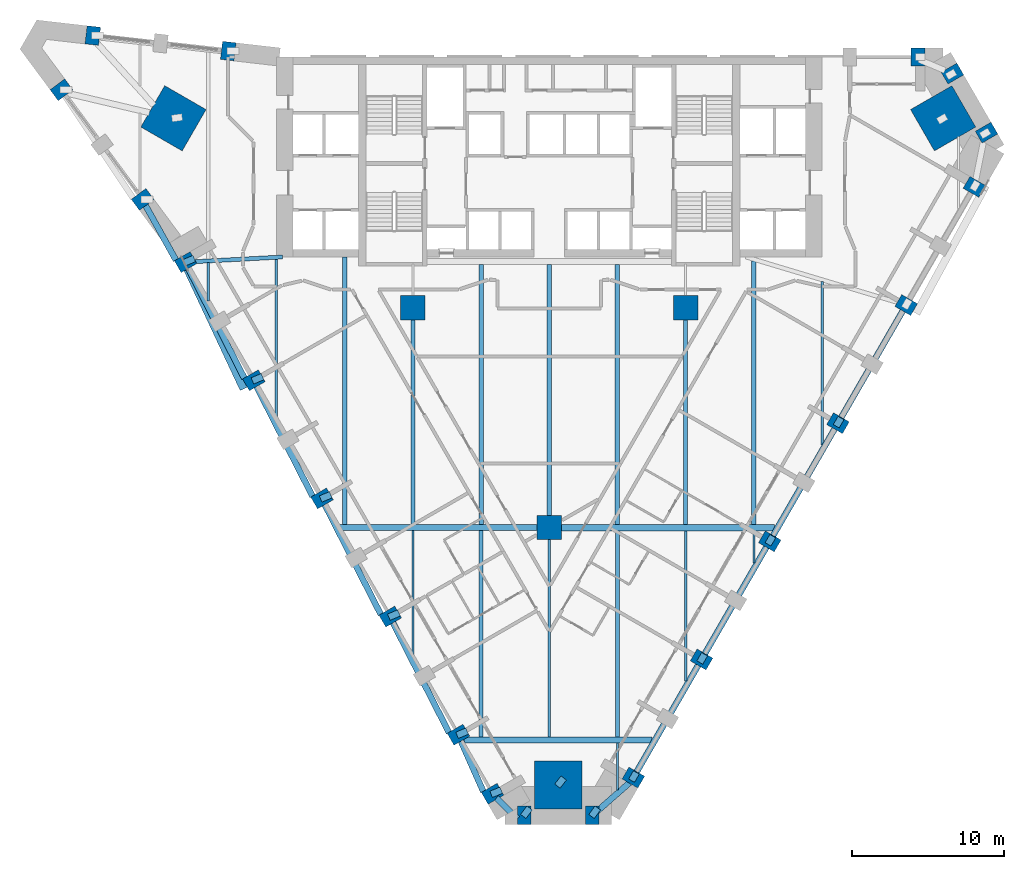
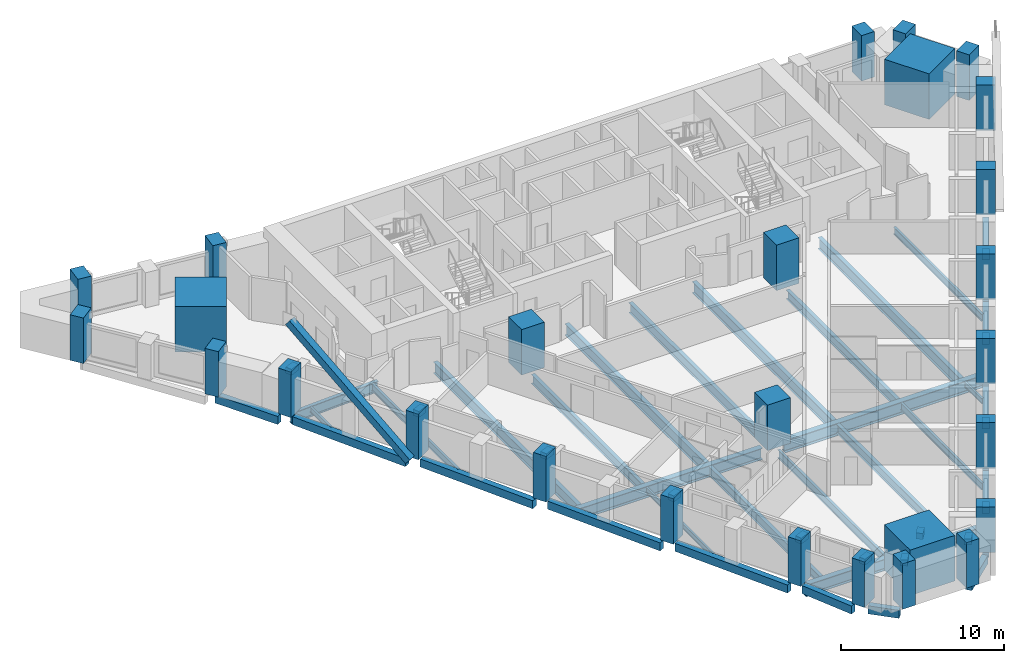
# One storey, part 1 of 11: 46 beams, 27 columns, 1 member.
"""IFC4 building model written with IfcOpenShell, lengths in metres."""

import ifcopenshell
import ifcopenshell.guid

model = None  # the IFC model being written
_history = None  # IfcOwnerHistory: only IFC2X3 demands one
_inside = {}  # id of a spatial element -> (the spatial element, [elements in it])
_under = {}  # id of a project, library or spatial element -> (it, [spatial elements below it])
_declared = {}  # id of a project -> (the project, [libraries it declares])
_typed = {}  # id of a type object -> (the type object, [elements of that type])
_made_of = {}  # id of a material, layer set ... -> (it, [elements and type objects made of it])


def new_model(schema):
    """Start an empty IFC model of exactly this schema.

    Asked for "IFC4X3", IfcOpenShell would pick the latest addendum, in which some entities
    have other attributes; the version numbers below select the first issue.
    IFC2X3 requires an IfcOwnerHistory on every rooted entity: one is made here for all.
    """
    global model, _history
    if schema == "IFC4X3":
        model = ifcopenshell.file(schema_version=(4, 3, 0, 0))
    else:
        model = ifcopenshell.file(schema=schema)
    _inside.clear()
    _under.clear()
    _declared.clear()
    _typed.clear()
    _made_of.clear()
    _history = None
    if model.schema == "IFC2X3":
        org = make("IfcOrganization", Name="unknown")
        user = make(
            "IfcPersonAndOrganization",
            ThePerson=make("IfcPerson", FamilyName="unknown"),
            TheOrganization=org,
        )
        app = make(
            "IfcApplication",
            ApplicationDeveloper=org,
            Version="unknown",
            ApplicationFullName="unknown",
            ApplicationIdentifier="unknown",
        )
        _history = make(
            "IfcOwnerHistory",
            OwningUser=user,
            OwningApplication=app,
            ChangeAction="ADDED",
            CreationDate=0,
        )
    return model


def make(cls, **values):
    """One entity of the class cls with the attributes given. An attribute that is None is left unset."""
    return model.create_entity(
        cls, **{name: value for name, value in values.items() if value is not None}
    )


def rooted(cls, **values):
    """An entity with a GlobalId (a new one), such as an element, a storey or a relation."""
    return make(cls, GlobalId=ifcopenshell.guid.new(), OwnerHistory=_history, **values)


def si_unit(unit_type, name, prefix=None):
    """IfcSIUnit, for example si_unit("LENGTHUNIT", "METRE", prefix="MILLI")."""
    return make("IfcSIUnit", UnitType=unit_type, Prefix=prefix, Name=name)


def assignment(units):
    """IfcUnitAssignment: the units of a project."""
    return None if units is None else make("IfcUnitAssignment", Units=units)


def point(xyz):
    """IfcCartesianPoint."""
    return None if xyz is None else make("IfcCartesianPoint", Coordinates=xyz)


def direction(xyz):
    """IfcDirection."""
    return None if xyz is None else make("IfcDirection", DirectionRatios=xyz)


def frame(location, z_axis=None, x_axis=None):
    """IfcAxis2Placement3D, a coordinate frame: its origin and axes. An axis left out is left unset."""
    return make(
        "IfcAxis2Placement3D",
        Location=point(location),
        Axis=direction(z_axis),
        RefDirection=direction(x_axis),
    )


def frame_2d(location, x_axis=None):
    """IfcAxis2Placement2D, a coordinate frame in the plane: its origin and x axis."""
    return make(
        "IfcAxis2Placement2D", Location=point(location), RefDirection=direction(x_axis)
    )


def origin():
    """The frame at (0, 0, 0) with its axes left unset."""
    return frame((0.0, 0.0, 0.0))


def origin_2d():
    """The frame at (0, 0) in the plane with its x axis left unset."""
    return frame_2d((0.0, 0.0))


def place(relative_to, where):
    """IfcLocalPlacement: puts the frame where relative to a parent placement (None: the world)."""
    return make(
        "IfcLocalPlacement", PlacementRelTo=relative_to, RelativePlacement=where
    )


def context(
    kind, dimensions, precision=None, world=None, true_north=None, identifier=None
):
    """IfcGeometricRepresentationContext, for example the 3D "Model" context."""
    return make(
        "IfcGeometricRepresentationContext",
        ContextIdentifier=identifier,
        ContextType=kind,
        CoordinateSpaceDimension=dimensions,
        Precision=precision,
        WorldCoordinateSystem=world,
        TrueNorth=true_north,
    )


def subcontext(parent, identifier, kind, view, scale=None):
    """IfcGeometricRepresentationSubContext, for example "Body" below "Model"."""
    return make(
        "IfcGeometricRepresentationSubContext",
        ContextIdentifier=identifier,
        ContextType=kind,
        ParentContext=parent,
        TargetScale=scale,
        TargetView=view,
    )


def project(units=None, contexts=None):
    """IfcProject with its units and contexts."""
    return rooted(
        "IfcProject",
        Name="project",
        RepresentationContexts=contexts,
        UnitsInContext=assignment(units),
    )


def spatial(cls, under=None, at=None, **own):
    """A site, building, storey or space (cls), placed at a placement, below another one or the project."""
    s = rooted(cls, ObjectPlacement=at, **own)
    if under is not None:
        _under.setdefault(under.id(), (under, []))[1].append(s)
    return s


def profile(cls, at=None, kind="AREA", **sizes):
    """A parametric profile (cls). Its sizes go by their IFC names, for example OverallWidth=200.0."""
    return make(cls, ProfileType=kind, Position=at, **sizes)


def rectangle(**sizes):
    """IfcRectangleProfileDef."""
    return profile("IfcRectangleProfileDef", **sizes)


def hollow_rectangle(**sizes):
    """IfcRectangleHollowProfileDef."""
    return profile("IfcRectangleHollowProfileDef", **sizes)


def i_section(**sizes):
    """IfcIShapeProfileDef."""
    return profile("IfcIShapeProfileDef", **sizes)


def extrude(swept, where, along, depth):
    """IfcExtrudedAreaSolid: the profile swept, set in the frame where, extruded along a direction by depth."""
    return make(
        "IfcExtrudedAreaSolid",
        SweptArea=swept,
        Position=where,
        ExtrudedDirection=direction(along),
        Depth=depth,
    )


def shape(context_of_items, identifier, shape_type, items):
    """IfcShapeRepresentation: the items that make up one representation, for example the "Body"."""
    return make(
        "IfcShapeRepresentation",
        ContextOfItems=context_of_items,
        RepresentationIdentifier=identifier,
        RepresentationType=shape_type,
        Items=items,
    )


def material(Name=None, Category=None):
    """IfcMaterial."""
    return make("IfcMaterial", Name=Name, Category=Category)


def material_profile(
    of_material, cross_section, Name=None, Category=None, Priority=None
):
    """IfcMaterialProfile: a cross section and its material."""
    return make(
        "IfcMaterialProfile",
        Name=Name,
        Material=of_material,
        Profile=cross_section,
        Priority=Priority,
        Category=Category,
    )


def profile_set(profiles, Name=None, composite=None):
    """IfcMaterialProfileSet."""
    return make(
        "IfcMaterialProfileSet",
        Name=Name,
        MaterialProfiles=profiles,
        CompositeProfile=composite,
    )


def made_of(thing, what):
    """Note that an element or type object is made of a material, layer set ...; save() writes the relation."""
    if what is not None:
        _made_of.setdefault(what.id(), (what, []))[1].append(thing)
    return thing


def type_object(cls, material=None, **own):
    """A type object (cls), such as IfcWallType, which elements share."""
    return made_of(rooted(cls, **own), material)


def element(
    cls,
    number,
    at=None,
    inside=None,
    cuts=None,
    type_object=None,
    material=None,
    context=None,
    identifier="Body",
    shape_type=None,
    held_by="IfcProductDefinitionShape",
    body=None,
    shapes=None,
    **own,
):
    """One element of the class cls, such as IfcWall. Its Tag is "e" and its number.

    at: its placement. inside: the storey or other place that contains it. cuts: it is an
    opening in that element (IfcRelVoidsElement). A single representation is given by context,
    identifier, shape_type and body (its items); several are given by shapes. held_by: the class
    of the entity that holds the representations. save() writes the other relations.
    """
    e = rooted(cls, Tag="e%d" % number, ObjectPlacement=at, **own)
    if body is not None:
        shapes = [shape(context, identifier, shape_type, body)]
    if shapes is not None:
        e.Representation = make(held_by, Representations=shapes)
    if inside is not None:
        _inside.setdefault(inside.id(), (inside, []))[1].append(e)
    if cuts is not None:
        rooted(
            "IfcRelVoidsElement", RelatingBuildingElement=cuts, RelatedOpeningElement=e
        )
    if type_object is not None:
        _typed.setdefault(type_object.id(), (type_object, []))[1].append(e)
    return made_of(e, material)


def aggregate(whole, parts):
    """IfcRelAggregates: a whole, such as a stair, and the parts it consists of."""
    return rooted("IfcRelAggregates", RelatingObject=whole, RelatedObjects=parts)


def save(model, path):
    """Write the relations noted so far, then the file.

    IfcRelAggregates (storeys below a building ...), IfcRelContainedInSpatialStructure (elements
    in a storey), IfcRelDefinesByType, IfcRelAssociatesMaterial and IfcRelDeclares: one each for
    every whole, place, type object, material and project.
    """
    for whole, parts in _under.values():
        aggregate(whole, parts)
    for where, things in _inside.values():
        rooted(
            "IfcRelContainedInSpatialStructure",
            RelatedElements=things,
            RelatingStructure=where,
        )
    for kind, things in _typed.values():
        rooted("IfcRelDefinesByType", RelatedObjects=things, RelatingType=kind)
    for what, things in _made_of.values():
        rooted("IfcRelAssociatesMaterial", RelatedObjects=things, RelatingMaterial=what)
    for by, libraries in _declared.values():
        rooted("IfcRelDeclares", RelatingContext=by, RelatedDefinitions=libraries)
    model.write(path)


model = new_model("IFC4")

# Units and contexts
model_context = context("Model", 3, precision=1e-05, world=origin(), true_north=direction((0.0, 1.0)))
body_context = subcontext(model_context, "Body", "Model", "MODEL_VIEW")
ifc_project = project(units=[si_unit("LENGTHUNIT", "METRE"), si_unit("AREAUNIT", "SQUARE_METRE"), si_unit("VOLUMEUNIT", "CUBIC_METRE"), si_unit("PLANEANGLEUNIT", "RADIAN"), si_unit("MASSUNIT", "GRAM", prefix="KILO")], contexts=[model_context])

# Site, building, storey
site_placement = place(None, origin())
site = spatial("IfcSite", under=ifc_project, at=site_placement, CompositionType="ELEMENT")
building_placement = place(site_placement, origin())
building = spatial("IfcBuilding", under=site, at=building_placement, Name="Calabash Gate Tower", CompositionType="ELEMENT")
storey_placement = place(building_placement, frame((0.0, 0.0, 73.199951171875)))
storey = spatial("IfcBuildingStorey", under=building, at=storey_placement, Name="L14", CompositionType="ELEMENT", Elevation=73.199951171875)

# Columns
ifc_material_1 = material(Name="Concrete C80/95", Category="concrete")
ifc_material_profile_1 = material_profile(ifc_material_1, rectangle(XDim=1.60009765625, YDim=1.60009765625, at=origin_2d()))
ifc_profile_set_1 = profile_set([ifc_material_profile_1], Name="Concrete C80/95")
column_type_1 = type_object("IfcColumnType", Name="Interior column RC 1600x1600 Concrete C80/95", PredefinedType="COLUMN", material=ifc_profile_set_1)
for number, where, z_axis, x_axis, name in (
    (1, (-9.0, 2.5, 0.0), (0.0, 0.0, 1.0), (1.0, 0.0, 0.0), "Interior column L14 I0"),
    (2, (9.0, 2.5, 0.0), (0.0, 0.0, 1.0), (1.0, 0.0, 0.0), "Interior column L14 I1"),
    (3, (0.0, -12.0, 0.0), (0.0, 0.0, 1.0), (1.0, 0.0, 0.0), "Interior column L14 I2"),
):
    element("IfcColumn", number, at=place(storey_placement, frame(where, z_axis=z_axis, x_axis=x_axis)), inside=storey, type_object=column_type_1, Name=name, PredefinedType="COLUMN", context=body_context, shape_type="SweptSolid", body=[
        extrude(rectangle(XDim=1.60009765625, YDim=1.60009765625, at=origin_2d()), origin(), (0.0, 0.0, 1.0), 3.400146484375),
    ])
ifc_material_2 = material(Name="Concrete C80/95", Category="concrete")
ifc_material_profile_2 = material_profile(ifc_material_2, rectangle(XDim=3.14990234375, YDim=3.14990234375, at=origin_2d()))
ifc_profile_set_2 = profile_set([ifc_material_profile_2], Name="Concrete C80/95")
column_type_2 = type_object("IfcColumnType", Name="Mega column RC 3150x3150 Concrete C80/95", PredefinedType="COLUMN", material=ifc_profile_set_2)
for number, where, z_axis, x_axis, name in (
    (4, (-24.79296875, 15.00390625, 0.0), (0.0, 0.0, 1.0), (0.866025412511, -0.499999984885, 0.0), "Mega column L14 NW"),
    (5, (25.988037109375, 15.00390625, 0.0), (0.0, 0.0, 1.0), (-0.866025412511, -0.499999984885, 0.0), "Mega column L14 NE"),
    (6, (0.596923828125, -28.972900390625, 0.0), (0.0, 0.0, 1.0), (0.0, 1.0, 0.0), "Mega column L14 S"),
):
    element("IfcColumn", number, at=place(storey_placement, frame(where, z_axis=z_axis, x_axis=x_axis)), inside=storey, type_object=column_type_2, Name=name, PredefinedType="COLUMN", context=body_context, shape_type="SweptSolid", body=[
        extrude(rectangle(XDim=3.14990234375, YDim=3.14990234375, at=origin_2d()), origin(), (0.0, 0.0, 1.0), 3.400146484375),
    ])
ifc_material_3 = material(Name="Concrete C70/85", Category="concrete")
ifc_material_profile_3 = material_profile(ifc_material_3, rectangle(XDim=0.89990234375, YDim=1.199951171875, at=origin_2d()))
ifc_profile_set_3 = profile_set([ifc_material_profile_3], Name="Concrete C70/85")
column_type_3 = type_object("IfcColumnType", Name="Perimeter column RC 900x1200 Concrete C70/85", PredefinedType="COLUMN", material=ifc_profile_set_3)
for number, where, z_axis, x_axis, name in (
    (7, (-23.989013671875, 5.512939453125, 0.0), (0.0, 0.0, 1.0), (0.5, -0.866025403784, 0.0), "Perimeter column L14 P00"),
    (8, (-19.489013671875, -2.281982421875, 0.0), (0.0, 0.0, 1.0), (0.5, -0.866025403784, 0.0), "Perimeter column L14 P01"),
    (9, (-14.989013671875, -10.075927734375, 0.0), (0.0, 0.0, 1.0), (0.5, -0.866025403784, 0.0), "Perimeter column L14 P02"),
    (10, (-10.489013671875, -17.8701171875, 0.0), (0.0, 0.0, 1.0), (0.5, -0.866025403784, 0.0), "Perimeter column L14 P03"),
    (11, (-5.989013671875, -25.6640625, 0.0), (0.0, 0.0, 1.0), (0.5, -0.866025403784, 0.0), "Perimeter column L14 P04"),
    (12, (-3.739013671875, -29.56103515625, 0.0), (0.0, 0.0, 1.0), (0.5, -0.866025403784, 0.0), "Perimeter column L14 P05"),
    (13, (-1.653076171875, -30.97705078125, 0.0), (0.0, 0.0, 1.0), (1.0, 0.0, 0.0), "Perimeter column L14 P06"),
    (14, (2.846923828125, -30.97705078125, 0.0), (0.0, 0.0, 1.0), (1.0, 0.0, 0.0), "Perimeter column L14 P07"),
    (15, (5.548095703125, -28.492919921875, 0.0), (0.0, 0.0, 1.0), (0.5, 0.866025403784, 0.0), "Perimeter column L14 P08"),
    (16, (10.048095703125, -20.700927734375, 0.0), (0.0, 0.0, 1.0), (0.5, 0.866025403784, 0.0), "Perimeter column L14 P09"),
    (17, (14.548095703125, -12.906982421875, 0.0), (0.0, 0.0, 1.0), (0.5, 0.866025403784, 0.0), "Perimeter column L14 P10"),
    (18, (19.048095703125, -5.112060546875, 0.0), (0.0, 0.0, 1.0), (0.5, 0.866025403784, 0.0), "Perimeter column L14 P11"),
    (19, (23.548095703125, 2.681884765625, 0.0), (0.0, 0.0, 1.0), (0.5, 0.866025403784, 0.0), "Perimeter column L14 P12"),
    (20, (28.048095703125, 10.47607421875, 0.0), (0.0, 0.0, 1.0), (0.5, 0.866025403784, 0.0), "Perimeter column L14 P13"),
    (21, (28.846923828125, 14.056884765625, 0.0), (0.0, 0.0, 1.0), (-0.5, 0.866025403784, 0.0), "Perimeter column L14 P14"),
    (22, (26.596923828125, 17.9541015625, 0.0), (0.0, 0.0, 1.0), (-0.5, 0.866025403784, 0.0), "Perimeter column L14 P15"),
    (23, (24.327880859375, 19.052978515625, 0.0), (0.0, 0.0, 1.0), (-1.0, 0.0, 0.0), "Perimeter column L14 P16"),
    (24, (-21.174072265625, 19.43798828125, 0.0), (0.0, 0.0, 1.0), (-0.993506319736, 0.113776942504, 0.0), "Perimeter column L14 P17"),
    (25, (-30.113037109375, 20.4619140625, 0.0), (0.0, 0.0, 1.0), (-0.993506319736, 0.113776942504, 0.0), "Perimeter column L14 P18"),
    (26, (-32.181884765625, 16.883056640625, 0.0), (0.0, 0.0, 1.0), (0.595286896465, -0.80351323007, 0.0), "Perimeter column L14 P19"),
    (27, (-26.823974609375, 9.65087890625, 0.0), (0.0, 0.0, 1.0), (0.595286896465, -0.80351323007, 0.0), "Perimeter column L14 P20"),
):
    element("IfcColumn", number, at=place(storey_placement, frame(where, z_axis=z_axis, x_axis=x_axis)), inside=storey, type_object=column_type_3, Name=name, PredefinedType="COLUMN", context=body_context, shape_type="SweptSolid", body=[
        extrude(rectangle(XDim=0.89990234375, YDim=1.199951171875, at=origin_2d()), origin(), (0.0, 0.0, 1.0), 3.400146484375),
    ])

# Beams
ifc_material_4 = material(Name="Concrete C80/95", Category="concrete")
ifc_material_profile_4 = material_profile(ifc_material_4, rectangle(XDim=0.449951171875, YDim=0.449951171875, at=origin_2d()))
ifc_profile_set_4 = profile_set([ifc_material_profile_4], Name="Concrete C80/95")
beam_type_1 = type_object("IfcBeamType", Name="Column offset link RC 450x450 Concrete C80/95", PredefinedType="BEAM", material=ifc_profile_set_4)
for number, where, z_axis, x_axis, name in (
    (28, (-24.08203125, 5.47412109375, 3.004150390625), (0.922233326358, 0.386633795412, 0.0), (-0.386633795412, 0.922233326358, 0.0), "Column offset link L14 P00"),
    (29, (-19.58203125, -2.320068359375, 3.004150390625), (0.922112578583, 0.386921687709, 0.0), (-0.386921687709, 0.922112578583, 0.0), "Column offset link L14 P01"),
):
    element("IfcBeam", number, at=place(storey_placement, frame(where, z_axis=z_axis, x_axis=x_axis)), inside=storey, type_object=beam_type_1, Name=name, PredefinedType="BEAM", context=body_context, shape_type="SweptSolid", body=[
        extrude(rectangle(XDim=0.449951171875, YDim=0.449951171875, at=origin_2d()), origin(), (0.0, 0.0, 1.0), 0.72119140625),
    ])
beam_1_placement = place(storey_placement, frame((-15.08203125, -10.113037109375, 3.004150390625), z_axis=(0.923076923077, 0.384615384615, 0.0), x_axis=(-0.384615384615, 0.923076923077, 0.0)))
element("IfcBeam", 30, at=beam_1_placement, inside=storey, type_object=beam_type_1, Name="Column offset link L14 P02", PredefinedType="BEAM", context=body_context, shape_type="SweptSolid", body=[
    extrude(rectangle(XDim=0.449951171875, YDim=0.449951171875, at=origin_2d()), origin(), (0.0, 0.0, 1.0), 0.720458984375),
])
for number, where, z_axis, x_axis, name in (
    (31, (-10.58203125, -17.908935546875, 3.004150390625), (0.922112578583, 0.386921687709, 0.0), (-0.386921687709, 0.922112578583, 0.0), "Column offset link L14 P03"),
    (32, (-6.08203125, -25.702880859375, 3.004150390625), (0.922233326358, 0.386633795412, 0.0), (-0.386633795412, 0.922233326358, 0.0), "Column offset link L14 P04"),
    (33, (-3.83203125, -29.60009765625, 3.004150390625), (0.922112578583, 0.386921687709, 0.0), (-0.386921687709, 0.922112578583, 0.0), "Column offset link L14 P05"),
):
    element("IfcBeam", number, at=place(storey_placement, frame(where, z_axis=z_axis, x_axis=x_axis)), inside=storey, type_object=beam_type_1, Name=name, PredefinedType="BEAM", context=body_context, shape_type="SweptSolid", body=[
        extrude(rectangle(XDim=0.449951171875, YDim=0.449951171875, at=origin_2d()), origin(), (0.0, 0.0, 1.0), 0.72119140625),
    ])
for number, where, z_axis, x_axis, name in (
    (34, (-1.712890625, -31.056884765625, 3.004150390625), (0.595194215099, 0.803581885257, 0.0), (-0.803581885257, 0.595194215099, 0.0), "Column offset link L14 P06"),
    (35, (2.787109375, -31.056884765625, 3.004150390625), (0.595194215099, 0.803581885257, 0.0), (-0.803581885257, 0.595194215099, 0.0), "Column offset link L14 P07"),
):
    element("IfcBeam", number, at=place(storey_placement, frame(where, z_axis=z_axis, x_axis=x_axis)), inside=storey, type_object=beam_type_1, Name=name, PredefinedType="BEAM", context=body_context, shape_type="SweptSolid", body=[
        extrude(rectangle(XDim=0.449951171875, YDim=0.449951171875, at=origin_2d()), origin(), (0.0, 0.0, 1.0), 0.70068359375),
    ])
for number, where, z_axis, x_axis, name in (
    (36, (5.431884765625, -28.696044921875, 3.004150390625), (0.499845348112, 0.866114673684, 0.0), (-0.866114673684, 0.499845348112, 0.0), "Column offset link L14 P08"),
    (37, (9.931884765625, -20.902099609375, 3.004150390625), (0.499845348112, 0.866114673684, 0.0), (-0.866114673684, 0.499845348112, 0.0), "Column offset link L14 P09"),
):
    element("IfcBeam", number, at=place(storey_placement, frame(where, z_axis=z_axis, x_axis=x_axis)), inside=storey, type_object=beam_type_1, Name=name, PredefinedType="BEAM", context=body_context, shape_type="SweptSolid", body=[
        extrude(rectangle(XDim=0.449951171875, YDim=0.449951171875, at=origin_2d()), origin(), (0.0, 0.0, 1.0), 0.630615234375),
    ])
beam_2_placement = place(storey_placement, frame((14.431884765625, -13.10693359375, 3.004150390625), z_axis=(0.500684610135, 0.865629782975, 0.0), x_axis=(-0.865629782975, 0.500684610135, 0.0)))
element("IfcBeam", 38, at=beam_2_placement, inside=storey, type_object=beam_type_1, Name="Column offset link L14 P10", PredefinedType="BEAM", context=body_context, shape_type="SweptSolid", body=[
    extrude(rectangle(XDim=0.449951171875, YDim=0.449951171875, at=origin_2d()), origin(), (0.0, 0.0, 1.0), 0.62939453125),
])
beam_3_placement = place(storey_placement, frame((18.931884765625, -5.31298828125, 3.004150390625), z_axis=(0.500013012896, 0.866017890655, 0.0), x_axis=(-0.866017890655, 0.500013012896, 0.0)))
element("IfcBeam", 39, at=beam_3_placement, inside=storey, type_object=beam_type_1, Name="Column offset link L14 P11", PredefinedType="BEAM", context=body_context, shape_type="SweptSolid", body=[
    extrude(rectangle(XDim=0.449951171875, YDim=0.449951171875, at=origin_2d()), origin(), (0.0, 0.0, 1.0), 0.63037109375),
])
beam_4_placement = place(storey_placement, frame((0.537109375, -29.052978515625, 3.004150390625), z_axis=(0.61679160359, 0.787126494117, 0.0), x_axis=(-0.787126494117, 0.61679160359, 0.0)))
element("IfcBeam", 40, at=beam_4_placement, inside=storey, type_object=beam_type_1, Name="Column offset link L14 S", PredefinedType="BEAM", context=body_context, shape_type="SweptSolid", body=[
    extrude(rectangle(XDim=0.449951171875, YDim=0.449951171875, at=origin_2d()), origin(), (0.0, 0.0, 1.0), 0.680908203125),
])
ifc_material_5 = material(Name="Concrete C60/75", Category="concrete")
ifc_material_profile_5 = material_profile(ifc_material_5, rectangle(XDim=0.39990234375, YDim=0.60009765625, at=origin_2d()))
ifc_profile_set_5 = profile_set([ifc_material_profile_5], Name="Concrete C60/75")
beam_type_2 = type_object("IfcBeamType", Name="Edge beam RC 400x600 Concrete C60/75", PredefinedType="BEAM", material=ifc_profile_set_5)
for number, where, z_axis, x_axis, name in (
    (41, (-19.343994140625, -2.623046875, -0.469970703125), (0.454454932148, -0.890769731551, 0.0), (0.890769731551, 0.454454932148, 0.0), "Edge beam L14 1"),
    (42, (-14.843994140625, -10.4169921875, -0.469970703125), (0.454454932148, -0.890769731551, 0.0), (0.890769731551, 0.454454932148, 0.0), "Edge beam L14 2"),
    (43, (-10.343994140625, -18.2109375, -0.469970703125), (0.454454932148, -0.890769731551, 0.0), (0.890769731551, 0.454454932148, 0.0), "Edge beam L14 3"),
):
    element("IfcBeam", number, at=place(storey_placement, frame(where, z_axis=z_axis, x_axis=x_axis)), inside=storey, type_object=beam_type_2, Name=name, PredefinedType="BEAM", context=body_context, shape_type="SweptSolid", body=[
        extrude(rectangle(XDim=0.39990234375, YDim=0.60009765625, at=origin_2d()), origin(), (0.0, 0.0, 1.0), 8.209716796875),
    ])
beam_5_placement = place(storey_placement, frame((-5.863037109375, -26.007080078125, -0.469970703125), z_axis=(0.406538543594, -0.913633631481, 0.0), x_axis=(0.913633631481, 0.406538543594, 0.0)))
element("IfcBeam", 44, at=beam_5_placement, inside=storey, type_object=beam_type_2, Name="Edge beam L14 4", PredefinedType="BEAM", context=body_context, shape_type="SweptSolid", body=[
    extrude(rectangle(XDim=0.39990234375, YDim=0.60009765625, at=origin_2d()), origin(), (0.0, 0.0, 1.0), 3.736572265625),
])
beam_6_placement = place(storey_placement, frame((-3.486083984375, -29.843017578125, -0.469970703125), z_axis=(0.714518251106, -0.699616801425, 0.0), x_axis=(0.699616801425, 0.714518251106, 0.0)))
element("IfcBeam", 45, at=beam_6_placement, inside=storey, type_object=beam_type_2, Name="Edge beam L14 5", PredefinedType="BEAM", context=body_context, shape_type="SweptSolid", body=[
    extrude(rectangle(XDim=0.39990234375, YDim=0.60009765625, at=origin_2d()), origin(), (0.0, 0.0, 1.0), 1.94970703125),
])
beam_7_placement = place(storey_placement, frame((2.97900390625, -30.867919921875, -0.469970703125), z_axis=(0.751719002131, 0.659483541747, 0.0), x_axis=(-0.659483541747, 0.751719002131, 0.0)))
element("IfcBeam", 46, at=beam_7_placement, inside=storey, type_object=beam_type_2, Name="Edge beam L14 6", PredefinedType="BEAM", context=body_context, shape_type="SweptSolid", body=[
    extrude(rectangle(XDim=0.39990234375, YDim=0.60009765625, at=origin_2d()), origin(), (0.0, 0.0, 1.0), 3.070556640625),
])
beam_8_placement = place(storey_placement, frame((5.616943359375, -28.3759765625, -0.469970703125), z_axis=(0.500025102917, 0.866010910123, 0.0), x_axis=(-0.866010910123, 0.500025102917, 0.0)))
element("IfcBeam", 47, at=beam_8_placement, inside=storey, type_object=beam_type_2, Name="Edge beam L14 7", PredefinedType="BEAM", context=body_context, shape_type="SweptSolid", body=[
    extrude(rectangle(XDim=0.39990234375, YDim=0.60009765625, at=origin_2d()), origin(), (0.0, 0.0, 1.0), 8.42578125),
])
beam_9_placement = place(storey_placement, frame((10.116943359375, -20.5810546875, -0.469970703125), z_axis=(0.499962374219, 0.86604712595, 0.0), x_axis=(-0.86604712595, 0.499962374219, 0.0)))
element("IfcBeam", 48, at=beam_9_placement, inside=storey, type_object=beam_type_2, Name="Edge beam L14 8", PredefinedType="BEAM", context=body_context, shape_type="SweptSolid", body=[
    extrude(rectangle(XDim=0.39990234375, YDim=0.60009765625, at=origin_2d()), origin(), (0.0, 0.0, 1.0), 8.427001953125),
])
beam_10_placement = place(storey_placement, frame((14.616943359375, -12.787109375, -0.469970703125), z_axis=(0.500012556128, 0.866018154379, 0.0), x_axis=(-0.866018154379, 0.500012556128, 0.0)))
element("IfcBeam", 49, at=beam_10_placement, inside=storey, type_object=beam_type_2, Name="Edge beam L14 9", PredefinedType="BEAM", context=body_context, shape_type="SweptSolid", body=[
    extrude(rectangle(XDim=0.39990234375, YDim=0.60009765625, at=origin_2d()), origin(), (0.0, 0.0, 1.0), 8.426025390625),
])
beam_11_placement = place(storey_placement, frame((19.116943359375, -4.992919921875, -0.469970703125), z_axis=(0.500025102917, 0.866010910123, 0.0), x_axis=(-0.866010910123, 0.500025102917, 0.0)))
element("IfcBeam", 50, at=beam_11_placement, inside=storey, type_object=beam_type_2, Name="Edge beam L14 10", PredefinedType="BEAM", context=body_context, shape_type="SweptSolid", body=[
    extrude(rectangle(XDim=0.39990234375, YDim=0.60009765625, at=origin_2d()), origin(), (0.0, 0.0, 1.0), 8.42578125),
])
beam_12_placement = place(storey_placement, frame((-26.805908203125, 9.56396484375, -0.469970703125), z_axis=(0.486202249372, -0.873846309545, 0.0), x_axis=(0.873846309545, 0.486202249372, 0.0)))
element("IfcBeam", 51, at=beam_12_placement, inside=storey, type_object=beam_type_2, Name="Edge beam L14 18", PredefinedType="BEAM", context=body_context, shape_type="SweptSolid", body=[
    extrude(rectangle(XDim=0.39990234375, YDim=0.60009765625, at=origin_2d()), origin(), (0.0, 0.0, 1.0), 4.483642578125),
])
beam_13_placement = place(storey_placement, frame((-23.843994140625, 5.1708984375, -0.469970703125), z_axis=(0.454454932148, -0.890769731551, 0.0), x_axis=(0.890769731551, 0.454454932148, 0.0)))
element("IfcBeam", 52, at=beam_13_placement, inside=storey, type_object=beam_type_2, Name="Edge beam L14 19", PredefinedType="BEAM", context=body_context, shape_type="SweptSolid", body=[
    extrude(rectangle(XDim=0.39990234375, YDim=0.60009765625, at=origin_2d()), origin(), (0.0, 0.0, 1.0), 8.209716796875),
])
ifc_material_6 = material(Name="Steel ASTM A992 Gr50", Category="steel")
ifc_material_profile_6 = material_profile(ifc_material_6, i_section(OverallWidth=0.1396484375, OverallDepth=0.398681640625, WebThickness=0.00634765625, FlangeThickness=0.0087890625, FilletRadius=0.01025390625, at=origin_2d()))
ifc_profile_set_6 = profile_set([ifc_material_profile_6], Name="Steel ASTM A992 Gr50")
beam_type_3 = type_object("IfcBeamType", Name="Floor beam W16x26 ASTM A992 Gr50", PredefinedType="BEAM", material=ifc_profile_set_6)
beam_14_placement = place(storey_placement, frame((-22.5, 2.9609375, -0.368896484375), z_axis=(0.0, 1.0, 0.0), x_axis=(-1.0, 0.0, 0.0)))
element("IfcBeam", 53, at=beam_14_placement, inside=storey, type_object=beam_type_3, Name="Floor beam L14 3", PredefinedType="BEAM", context=body_context, shape_type="SweptSolid", body=[
    extrude(i_section(OverallWidth=0.1396484375, OverallDepth=0.398681640625, WebThickness=0.00634765625, FlangeThickness=0.0087890625, FilletRadius=0.01025390625, at=origin_2d()), origin(), (0.0, 0.0, 1.0), 2.52001953125),
])
beam_15_placement = place(storey_placement, frame((-9.0, -20.422119140625, -0.368896484375), z_axis=(0.0, 1.0, 0.0), x_axis=(-1.0, 0.0, 0.0)))
element("IfcBeam", 54, at=beam_15_placement, inside=storey, type_object=beam_type_3, Name="Floor beam L14 7", PredefinedType="BEAM", context=body_context, shape_type="SweptSolid", body=[
    extrude(i_section(OverallWidth=0.1396484375, OverallDepth=0.398681640625, WebThickness=0.00634765625, FlangeThickness=0.0087890625, FilletRadius=0.01025390625, at=origin_2d()), origin(), (0.0, 0.0, 1.0), 8.22314453125),
])
beam_16_placement = place(storey_placement, frame((4.5, -29.301025390625, -0.368896484375), z_axis=(0.0, 1.0, 0.0), x_axis=(-1.0, 0.0, 0.0)))
element("IfcBeam", 55, at=beam_16_placement, inside=storey, type_object=beam_type_3, Name="Floor beam L14 14", PredefinedType="BEAM", context=body_context, shape_type="SweptSolid", body=[
    extrude(i_section(OverallWidth=0.1396484375, OverallDepth=0.398681640625, WebThickness=0.00634765625, FlangeThickness=0.0087890625, FilletRadius=0.01025390625, at=origin_2d()), origin(), (0.0, 0.0, 1.0), 3.10205078125),
])
beam_17_placement = place(storey_placement, frame((13.5, -14.333984375, -0.368896484375), z_axis=(0.0, 1.0, 0.0), x_axis=(-1.0, 0.0, 0.0)))
element("IfcBeam", 56, at=beam_17_placement, inside=storey, type_object=beam_type_3, Name="Floor beam L14 20", PredefinedType="BEAM", context=body_context, shape_type="SweptSolid", body=[
    extrude(i_section(OverallWidth=0.1396484375, OverallDepth=0.398681640625, WebThickness=0.00634765625, FlangeThickness=0.0087890625, FilletRadius=0.01025390625, at=origin_2d()), origin(), (0.0, 0.0, 1.0), 2.1240234375),
])
ifc_material_7 = material(Name="Steel ASTM A992 Gr50", Category="steel")
ifc_material_profile_7 = material_profile(ifc_material_7, i_section(OverallWidth=0.166015625, OverallDepth=0.5283203125, WebThickness=0.009765625, FlangeThickness=0.013671875, FilletRadius=0.0126953125, at=origin_2d()))
ifc_profile_set_7 = profile_set([ifc_material_profile_7], Name="Steel ASTM A992 Gr50")
beam_type_4 = type_object("IfcBeamType", Name="Floor beam W21x50 ASTM A992 Gr50", PredefinedType="BEAM", material=ifc_profile_set_7)
beam_18_placement = place(storey_placement, frame((-18.0, -4.8330078125, -0.433837890625), z_axis=(0.0, 1.0, 0.0), x_axis=(-1.0, 0.0, 0.0)))
element("IfcBeam", 57, at=beam_18_placement, inside=storey, type_object=beam_type_4, Name="Floor beam L14 5", PredefinedType="BEAM", context=body_context, shape_type="SweptSolid", body=[
    extrude(i_section(OverallWidth=0.166015625, OverallDepth=0.5283203125, WebThickness=0.009765625, FlangeThickness=0.013671875, FilletRadius=0.0126953125, at=origin_2d()), origin(), (0.0, 0.0, 1.0), 10.553955078125),
])
beam_19_placement = place(storey_placement, frame((9.0, -22.12890625, -0.433837890625), z_axis=(0.0, 1.0, 0.0), x_axis=(-1.0, 0.0, 0.0)))
element("IfcBeam", 58, at=beam_19_placement, inside=storey, type_object=beam_type_4, Name="Floor beam L14 17", PredefinedType="BEAM", context=body_context, shape_type="SweptSolid", body=[
    extrude(i_section(OverallWidth=0.166015625, OverallDepth=0.5283203125, WebThickness=0.009765625, FlangeThickness=0.013671875, FilletRadius=0.0126953125, at=origin_2d()), origin(), (0.0, 0.0, 1.0), 9.9189453125),
])
beam_20_placement = place(storey_placement, frame((18.0, -6.5400390625, -0.433837890625), z_axis=(0.0, 1.0, 0.0), x_axis=(-1.0, 0.0, 0.0)))
element("IfcBeam", 59, at=beam_20_placement, inside=storey, type_object=beam_type_4, Name="Floor beam L14 22", PredefinedType="BEAM", context=body_context, shape_type="SweptSolid", body=[
    extrude(i_section(OverallWidth=0.166015625, OverallDepth=0.5283203125, WebThickness=0.009765625, FlangeThickness=0.013671875, FilletRadius=0.0126953125, at=origin_2d()), origin(), (0.0, 0.0, 1.0), 10.77197265625),
])
ifc_material_8 = material(Name="Steel ASTM A992 Gr50", Category="steel")
ifc_material_profile_8 = material_profile(ifc_material_8, i_section(OverallWidth=0.1787109375, OverallDepth=0.60205078125, WebThickness=0.010986328125, FlangeThickness=0.014892578125, FilletRadius=0.0126953125, at=origin_2d()))
ifc_profile_set_8 = profile_set([ifc_material_profile_8], Name="Steel ASTM A992 Gr50")
beam_type_5 = type_object("IfcBeamType", Name="Floor beam W24x62 ASTM A992 Gr50", PredefinedType="BEAM", material=ifc_profile_set_8)
beam_21_placement = place(storey_placement, frame((0.0, -25.801025390625, -0.470947265625), z_axis=(0.0, 1.0, 0.0), x_axis=(-1.0, 0.0, 0.0)))
element("IfcBeam", 60, at=beam_21_placement, inside=storey, type_object=beam_type_5, Name="Floor beam L14 12", PredefinedType="BEAM", context=body_context, shape_type="SweptSolid", body=[
    extrude(i_section(OverallWidth=0.1787109375, OverallDepth=0.60205078125, WebThickness=0.010986328125, FlangeThickness=0.014892578125, FilletRadius=0.0126953125, at=origin_2d()), origin(), (0.0, 0.0, 1.0), 13.0009765625),
])
ifc_material_9 = material(Name="Steel ASTM A992 Gr50", Category="steel")
ifc_material_profile_9 = material_profile(ifc_material_9, i_section(OverallWidth=0.25390625, OverallDepth=0.67822265625, WebThickness=0.01171875, FlangeThickness=0.016357421875, FilletRadius=0.01513671875, at=origin_2d()))
ifc_profile_set_9 = profile_set([ifc_material_profile_9], Name="Steel ASTM A992 Gr50")
beam_type_6 = type_object("IfcBeamType", Name="Floor beam W27x84 ASTM A992 Gr50", PredefinedType="BEAM", material=ifc_profile_set_9)
beam_22_placement = place(storey_placement, frame((-9.0, -11.801025390625, -0.509033203125), z_axis=(0.0, 1.0, 0.0), x_axis=(-1.0, 0.0, 0.0)))
element("IfcBeam", 61, at=beam_22_placement, inside=storey, type_object=beam_type_6, Name="Floor beam L14 8", PredefinedType="BEAM", context=body_context, shape_type="SweptSolid", body=[
    extrude(i_section(OverallWidth=0.25390625, OverallDepth=0.67822265625, WebThickness=0.01171875, FlangeThickness=0.016357421875, FilletRadius=0.01513671875, at=origin_2d()), origin(), (0.0, 0.0, 1.0), 13.5009765625),
])
beam_23_placement = place(storey_placement, frame((-4.5, -25.801025390625, -0.509033203125), z_axis=(0.0, 1.0, 0.0), x_axis=(-1.0, 0.0, 0.0)))
element("IfcBeam", 62, at=beam_23_placement, inside=storey, type_object=beam_type_6, Name="Floor beam L14 10", PredefinedType="BEAM", context=body_context, shape_type="SweptSolid", body=[
    extrude(i_section(OverallWidth=0.25390625, OverallDepth=0.67822265625, WebThickness=0.01171875, FlangeThickness=0.016357421875, FilletRadius=0.01513671875, at=origin_2d()), origin(), (0.0, 0.0, 1.0), 13.60205078125),
])
beam_24_placement = place(storey_placement, frame((4.5, -25.801025390625, -0.509033203125), z_axis=(0.0, 1.0, 0.0), x_axis=(-1.0, 0.0, 0.0)))
element("IfcBeam", 63, at=beam_24_placement, inside=storey, type_object=beam_type_6, Name="Floor beam L14 15", PredefinedType="BEAM", context=body_context, shape_type="SweptSolid", body=[
    extrude(i_section(OverallWidth=0.25390625, OverallDepth=0.67822265625, WebThickness=0.01171875, FlangeThickness=0.016357421875, FilletRadius=0.01513671875, at=origin_2d()), origin(), (0.0, 0.0, 1.0), 13.591064453125),
])
beam_25_placement = place(storey_placement, frame((9.0, -11.7900390625, -0.509033203125), z_axis=(0.0, 1.0, 0.0), x_axis=(-1.0, 0.0, 0.0)))
element("IfcBeam", 64, at=beam_25_placement, inside=storey, type_object=beam_type_6, Name="Floor beam L14 18", PredefinedType="BEAM", context=body_context, shape_type="SweptSolid", body=[
    extrude(i_section(OverallWidth=0.25390625, OverallDepth=0.67822265625, WebThickness=0.01171875, FlangeThickness=0.016357421875, FilletRadius=0.01513671875, at=origin_2d()), origin(), (0.0, 0.0, 1.0), 13.489990234375),
])
ifc_material_10 = material(Name="Steel ASTM A992 Gr50", Category="steel")
ifc_material_profile_10 = material_profile(ifc_material_10, i_section(OverallWidth=0.2666015625, OverallDepth=0.7568359375, WebThickness=0.013916015625, FlangeThickness=0.019287109375, FilletRadius=0.0166015625, at=origin_2d()))
ifc_profile_set_10 = profile_set([ifc_material_profile_10], Name="Steel ASTM A992 Gr50")
beam_type_7 = type_object("IfcBeamType", Name="Floor beam W30x108 ASTM A992 Gr50", PredefinedType="BEAM", material=ifc_profile_set_10)
beam_26_placement = place(storey_placement, frame((0.0, -11.199951171875, -0.5478515625), z_axis=(0.0, 1.0, 0.0), x_axis=(-1.0, 0.0, 0.0)))
element("IfcBeam", 65, at=beam_26_placement, inside=storey, type_object=beam_type_7, Name="Floor beam L14 13", PredefinedType="BEAM", context=body_context, shape_type="SweptSolid", body=[
    extrude(i_section(OverallWidth=0.2666015625, OverallDepth=0.7568359375, WebThickness=0.013916015625, FlangeThickness=0.019287109375, FilletRadius=0.0166015625, at=origin_2d()), origin(), (0.0, 0.0, 1.0), 16.552001953125),
])
ifc_material_11 = material(Name="Steel ASTM A992 Gr50", Category="steel")
ifc_material_profile_11 = material_profile(ifc_material_11, i_section(OverallWidth=0.2919921875, OverallDepth=0.845703125, WebThickness=0.015380859375, FlangeThickness=0.0244140625, FilletRadius=0.017822265625, at=origin_2d()))
ifc_profile_set_11 = profile_set([ifc_material_profile_11], Name="Steel ASTM A992 Gr50")
beam_type_8 = type_object("IfcBeamType", Name="Floor beam W33x141 ASTM A992 Gr50", PredefinedType="BEAM", material=ifc_profile_set_11)
beam_27_placement = place(storey_placement, frame((-13.5, -11.801025390625, -0.593017578125), z_axis=(0.0, 1.0, 0.0), x_axis=(-1.0, 0.0, 0.0)))
element("IfcBeam", 66, at=beam_27_placement, inside=storey, type_object=beam_type_8, Name="Floor beam L14 6", PredefinedType="BEAM", context=body_context, shape_type="SweptSolid", body=[
    extrude(i_section(OverallWidth=0.2919921875, OverallDepth=0.845703125, WebThickness=0.015380859375, FlangeThickness=0.0244140625, FilletRadius=0.017822265625, at=origin_2d()), origin(), (0.0, 0.0, 1.0), 17.654052734375),
])
beam_28_placement = place(storey_placement, frame((-4.5, -11.801025390625, -0.593017578125), z_axis=(0.0, 1.0, 0.0), x_axis=(-1.0, 0.0, 0.0)))
element("IfcBeam", 67, at=beam_28_placement, inside=storey, type_object=beam_type_8, Name="Floor beam L14 11", PredefinedType="BEAM", context=body_context, shape_type="SweptSolid", body=[
    extrude(i_section(OverallWidth=0.2919921875, OverallDepth=0.845703125, WebThickness=0.015380859375, FlangeThickness=0.0244140625, FilletRadius=0.017822265625, at=origin_2d()), origin(), (0.0, 0.0, 1.0), 17.153076171875),
])
beam_29_placement = place(storey_placement, frame((4.5, -11.7900390625, -0.593017578125), z_axis=(0.0, 1.0, 0.0), x_axis=(-1.0, 0.0, 0.0)))
element("IfcBeam", 68, at=beam_29_placement, inside=storey, type_object=beam_type_8, Name="Floor beam L14 16", PredefinedType="BEAM", context=body_context, shape_type="SweptSolid", body=[
    extrude(i_section(OverallWidth=0.2919921875, OverallDepth=0.845703125, WebThickness=0.015380859375, FlangeThickness=0.0244140625, FilletRadius=0.017822265625, at=origin_2d()), origin(), (0.0, 0.0, 1.0), 17.14208984375),
])
beam_30_placement = place(storey_placement, frame((13.5, -11.7900390625, -0.593017578125), z_axis=(0.0, 1.0, 0.0), x_axis=(-1.0, 0.0, 0.0)))
element("IfcBeam", 69, at=beam_30_placement, inside=storey, type_object=beam_type_8, Name="Floor beam L14 21", PredefinedType="BEAM", context=body_context, shape_type="SweptSolid", body=[
    extrude(i_section(OverallWidth=0.2919921875, OverallDepth=0.845703125, WebThickness=0.015380859375, FlangeThickness=0.0244140625, FilletRadius=0.017822265625, at=origin_2d()), origin(), (0.0, 0.0, 1.0), 17.3740234375),
])
ifc_material_12 = material(Name="Steel ASTM A992 Gr50", Category="steel")
ifc_material_profile_12 = material_profile(ifc_material_12, i_section(OverallWidth=0.2666015625, OverallDepth=0.77978515625, WebThickness=0.0166015625, FlangeThickness=0.030029296875, FilletRadius=0.0166015625, at=origin_2d()))
ifc_profile_set_12 = profile_set([ifc_material_profile_12], Name="Steel ASTM A992 Gr50")
beam_type_9 = type_object("IfcBeamType", Name="Girder W30x148 ASTM A992 Gr50", PredefinedType="BEAM", material=ifc_profile_set_12)
beam_31_placement = place(storey_placement, frame((-23.907958984375, 5.51708984375, -0.56005859375), z_axis=(0.998581570608, 0.053243279787, 0.0), x_axis=(-0.053243279787, 0.998581570608, 0.0)))
element("IfcBeam", 70, at=beam_31_placement, inside=storey, type_object=beam_type_9, Name="Girder L14 2", PredefinedType="BEAM", context=body_context, shape_type="SweptSolid", body=[
    extrude(i_section(OverallWidth=0.2666015625, OverallDepth=0.77978515625, WebThickness=0.0166015625, FlangeThickness=0.030029296875, FilletRadius=0.0166015625, at=origin_2d()), origin(), (0.0, 0.0, 1.0), 6.327880859375),
])
ifc_material_13 = material(Name="Steel ASTM A992 Gr50", Category="steel")
ifc_material_profile_13 = material_profile(ifc_material_13, i_section(OverallWidth=0.398681640625, OverallDepth=0.85595703125, WebThickness=0.018310546875, FlangeThickness=0.029296875, FilletRadius=0.02001953125, at=origin_2d()))
ifc_profile_set_13 = profile_set([ifc_material_profile_13], Name="Steel ASTM A992 Gr50")
beam_type_10 = type_object("IfcBeamType", Name="Girder W33x201 ASTM A992 Gr50", PredefinedType="BEAM", material=ifc_profile_set_13)
beam_32_placement = place(storey_placement, frame((-13.8291015625, -12.0, -0.597900390625), z_axis=(1.0, 0.0, 0.0), x_axis=(0.0, 1.0, 0.0)))
element("IfcBeam", 71, at=beam_32_placement, inside=storey, type_object=beam_type_10, Name="Girder L14 4", PredefinedType="BEAM", context=body_context, shape_type="SweptSolid", body=[
    extrude(i_section(OverallWidth=0.398681640625, OverallDepth=0.85595703125, WebThickness=0.018310546875, FlangeThickness=0.029296875, FilletRadius=0.02001953125, at=origin_2d()), origin(), (0.0, 0.0, 1.0), 13.029052734375),
])
beam_33_placement = place(storey_placement, frame((-5.81591796875, -26.0, -0.597900390625), z_axis=(1.0, 0.0, 0.0), x_axis=(0.0, 1.0, 0.0)))
element("IfcBeam", 72, at=beam_33_placement, inside=storey, type_object=beam_type_10, Name="Girder L14 6", PredefinedType="BEAM", context=body_context, shape_type="SweptSolid", body=[
    extrude(i_section(OverallWidth=0.398681640625, OverallDepth=0.85595703125, WebThickness=0.018310546875, FlangeThickness=0.029296875, FilletRadius=0.02001953125, at=origin_2d()), origin(), (0.0, 0.0, 1.0), 12.594970703125),
])
ifc_material_14 = material(Name="Steel ASTM A992 Gr50", Category="steel")
ifc_material_profile_14 = material_profile(ifc_material_14, i_section(OverallWidth=0.419189453125, OverallDepth=0.927001953125, WebThickness=0.019287109375, FlangeThickness=0.031982421875, FilletRadius=0.024169921875, at=origin_2d()))
ifc_profile_set_14 = profile_set([ifc_material_profile_14], Name="Steel ASTM A992 Gr50")
beam_type_11 = type_object("IfcBeamType", Name="Girder W36x231 ASTM A992 Gr50", PredefinedType="BEAM", material=ifc_profile_set_14)
beam_34_placement = place(storey_placement, frame((0.800048828125, -12.0, -0.634033203125), z_axis=(1.0, 0.0, 0.0), x_axis=(0.0, 1.0, 0.0)))
element("IfcBeam", 73, at=beam_34_placement, inside=storey, type_object=beam_type_11, Name="Girder L14 5", PredefinedType="BEAM", context=body_context, shape_type="SweptSolid", body=[
    extrude(i_section(OverallWidth=0.419189453125, OverallDepth=0.927001953125, WebThickness=0.019287109375, FlangeThickness=0.031982421875, FilletRadius=0.024169921875, at=origin_2d()), origin(), (0.0, 0.0, 1.0), 14.06201171875),
])

# Member
ifc_material_15 = material(Name="Steel ASTM A500 Gr C", Category="steel")
ifc_material_profile_15 = material_profile(ifc_material_15, hollow_rectangle(XDim=0.508056640625, YDim=0.508056640625, WallThickness=0.01904296875, at=origin_2d()))
ifc_profile_set_15 = profile_set([ifc_material_profile_15], Name="Steel ASTM A500 Gr C")
member_type = type_object("IfcMemberType", Name="Mega-brace HSS20X20X.750 ASTM A500 Gr C", PredefinedType="BRACE", material=ifc_profile_set_15)
member_placement = place(storey_placement, frame((-20.22900390625, -2.70849609375, 0.0), z_axis=(-0.338401315834, 0.721342822809, 0.604275666748), x_axis=(-0.905327763234, -0.424713598933, 0.0)))
element("IfcMember", 74, at=member_placement, inside=storey, type_object=member_type, Name="Mega-brace SW Z1 5", PredefinedType="BRACE", context=body_context, shape_type="SweptSolid", body=[
    extrude(hollow_rectangle(XDim=0.508056640625, YDim=0.508056640625, WallThickness=0.01904296875, at=origin_2d()), origin(), (0.0, 0.0, 1.0), 11.253173828125),
])

save(model, "model.ifc")
